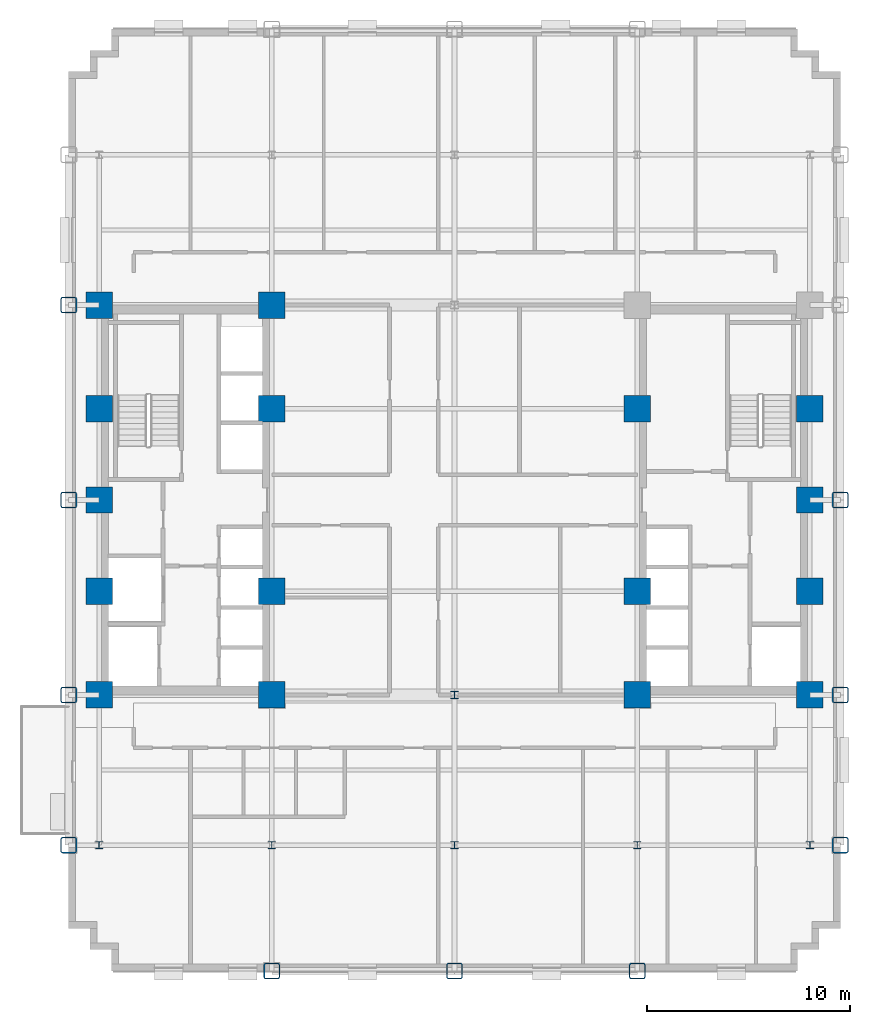
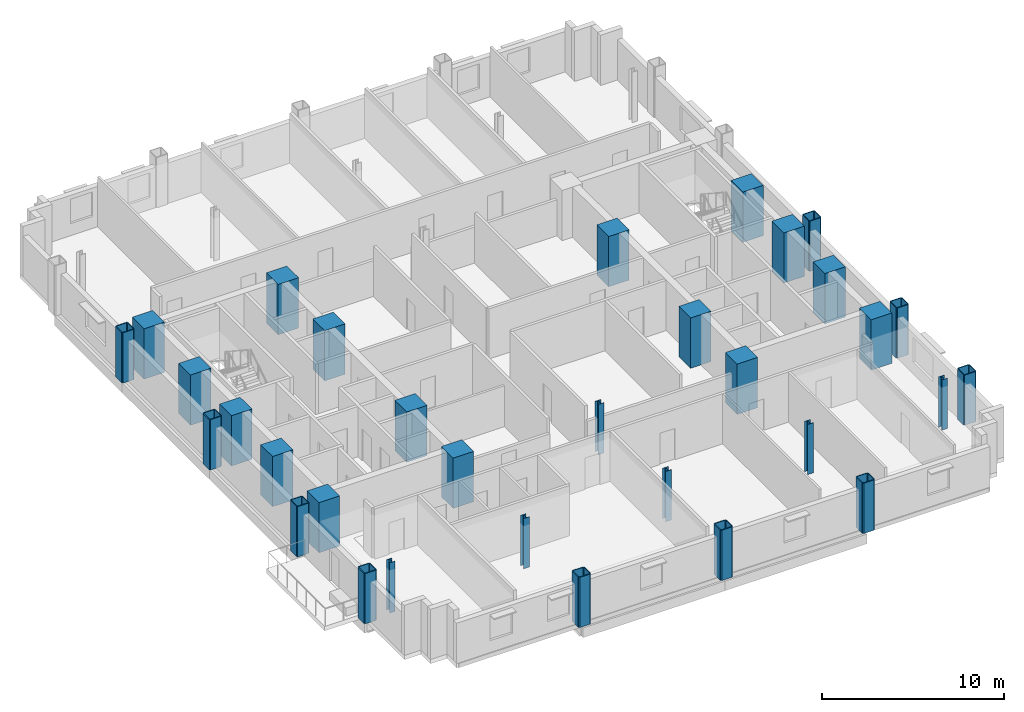
# One storey, part 1 of 12: 32 columns.
"""IFC4 building model written with IfcOpenShell, lengths in metres."""

from ifc_helpers import new_model, si_unit, direction, frame, origin, origin_2d, place, context, subcontext, project, spatial, rectangle, hollow_rectangle, i_section, extrude, material, material_profile, profile_set, type_object, element, save


model = new_model("IFC4")

# Units and contexts
model_context = context("Model", 3, precision=1e-05, world=origin(), true_north=direction((0.0, 1.0)))
body_context = subcontext(model_context, "Body", "Model", "MODEL_VIEW")
ifc_project = project(units=[si_unit("LENGTHUNIT", "METRE"), si_unit("AREAUNIT", "SQUARE_METRE"), si_unit("VOLUMEUNIT", "CUBIC_METRE"), si_unit("PLANEANGLEUNIT", "RADIAN"), si_unit("MASSUNIT", "GRAM", prefix="KILO")], contexts=[model_context])

# Site, building, storey
site_placement = place(None, origin())
site = spatial("IfcSite", under=ifc_project, at=site_placement, CompositionType="ELEMENT")
building_placement = place(site_placement, origin())
building = spatial("IfcBuilding", under=site, at=building_placement, Name="Nuvemarco Arch Tower", CompositionType="ELEMENT")
storey_placement = place(building_placement, frame((0.0, 0.0, 49.5)))
storey = spatial("IfcBuildingStorey", under=building, at=storey_placement, Name="L12", CompositionType="ELEMENT", Elevation=49.5)

# Columns
ifc_material_1 = material(Name="Concrete C60/75", Category="concrete")
ifc_material_profile_1 = material_profile(ifc_material_1, rectangle(XDim=1.300048828125, YDim=1.300048828125, at=origin_2d()), Name="RC-COL-1300x1300")
ifc_profile_set_1 = profile_set([ifc_material_profile_1], Name="Concrete C60/75")
column_type_1 = type_object("IfcColumnType", Name="COL-CORE-1300", PredefinedType="COLUMN", material=ifc_profile_set_1)
for number, where, z_axis, x_axis, name in (
    (1, (-17.5, -9.60009765625, 0.0), (0.0, 0.0, 1.0), (1.0, 0.0, 0.0), "L12 column CC_-17.5_-9.6"),
    (2, (-17.5, -4.5, 0.0), (0.0, 0.0, 1.0), (1.0, 0.0, 0.0), "L12 column CC_-17.5_-4.5"),
    (3, (-17.5, 4.5, 0.0), (0.0, 0.0, 1.0), (1.0, 0.0, 0.0), "L12 column CC_-17.5_+4.5"),
    (4, (-17.5, 9.60009765625, 0.0), (0.0, 0.0, 1.0), (1.0, 0.0, 0.0), "L12 column CC_-17.5_+9.6"),
    (5, (-9.0, -9.60009765625, 0.0), (0.0, 0.0, 1.0), (1.0, 0.0, 0.0), "L12 column CC_-9.0_-9.6"),
    (6, (-9.0, -4.5, 0.0), (0.0, 0.0, 1.0), (1.0, 0.0, 0.0), "L12 column CC_-9.0_-4.5"),
    (7, (-9.0, 4.5, 0.0), (0.0, 0.0, 1.0), (1.0, 0.0, 0.0), "L12 column CC_-9.0_+4.5"),
    (8, (-9.0, 9.60009765625, 0.0), (0.0, 0.0, 1.0), (1.0, 0.0, 0.0), "L12 column CC_-9.0_+9.6"),
    (9, (9.0, -9.60009765625, 0.0), (0.0, 0.0, 1.0), (1.0, 0.0, 0.0), "L12 column CC_+9.0_-9.6"),
    (10, (9.0, -4.5, 0.0), (0.0, 0.0, 1.0), (1.0, 0.0, 0.0), "L12 column CC_+9.0_-4.5"),
    (11, (9.0, 4.5, 0.0), (0.0, 0.0, 1.0), (1.0, 0.0, 0.0), "L12 column CC_+9.0_+4.5"),
    (12, (17.5, -9.60009765625, 0.0), (0.0, 0.0, 1.0), (1.0, 0.0, 0.0), "L12 column CC_+17.5_-9.6"),
    (13, (17.5, -4.5, 0.0), (0.0, 0.0, 1.0), (1.0, 0.0, 0.0), "L12 column CC_+17.5_-4.5"),
    (14, (17.5, 4.5, 0.0), (0.0, 0.0, 1.0), (1.0, 0.0, 0.0), "L12 column CC_+17.5_+4.5"),
    (15, (-17.5, 0.0, 0.0), (0.0, 0.0, 1.0), (1.0, 0.0, 0.0), "L12 column CC_-17.5_+0.0"),
    (16, (17.5, 0.0, 0.0), (0.0, 0.0, 1.0), (1.0, 0.0, 0.0), "L12 column CC_+17.5_+0.0"),
):
    element("IfcColumn", number, at=place(storey_placement, frame(where, z_axis=z_axis, x_axis=x_axis)), inside=storey, type_object=column_type_1, Name=name, PredefinedType="COLUMN", context=body_context, shape_type="SweptSolid", body=[
        extrude(rectangle(XDim=1.300048828125, YDim=1.300048828125, at=origin_2d()), origin(), (0.0, 0.0, 1.0), 3.3701171875),
    ])
ifc_material_2 = material(Name="Steel S460", Category="steel")
ifc_material_profile_2 = material_profile(ifc_material_2, hollow_rectangle(XDim=0.800048828125, YDim=0.800048828125, WallThickness=0.054931640625, InnerFilletRadius=0.054931640625, OuterFilletRadius=0.110107421875, at=origin_2d()), Name="SHS800x800x55")
ifc_profile_set_2 = profile_set([ifc_material_profile_2], Name="Steel S460")
column_type_2 = type_object("IfcColumnType", Name="COL-EXO-800", PredefinedType="COLUMN", material=ifc_profile_set_2)
for number, where, z_axis, x_axis, name in (
    (17, (-19.0, -17.0, 0.0), (0.0, 0.0, 1.0), (1.0, 0.0, 0.0), "L12 column CX_-19.0_-17.0"),
    (18, (-19.0, -9.60009765625, 0.0), (0.0, 0.0, 1.0), (1.0, 0.0, 0.0), "L12 column CX_-19.0_-9.6"),
    (19, (-19.0, 0.0, 0.0), (0.0, 0.0, 1.0), (1.0, 0.0, 0.0), "L12 column CX_-19.0_+0.0"),
    (20, (-19.0, 9.60009765625, 0.0), (0.0, 0.0, 1.0), (1.0, 0.0, 0.0), "L12 column CX_-19.0_+9.6"),
    (21, (19.0, -17.0, 0.0), (0.0, 0.0, 1.0), (1.0, 0.0, 0.0), "L12 column CX_+19.0_-17.0"),
    (22, (19.0, -9.60009765625, 0.0), (0.0, 0.0, 1.0), (1.0, 0.0, 0.0), "L12 column CX_+19.0_-9.6"),
    (23, (19.0, 0.0, 0.0), (0.0, 0.0, 1.0), (1.0, 0.0, 0.0), "L12 column CX_+19.0_+0.0"),
    (24, (-9.0, -23.199951171875, 0.0), (0.0, 0.0, 1.0), (1.0, 0.0, 0.0), "L12 column CY_-9.0_-23.2"),
    (25, (0.0, -23.199951171875, 0.0), (0.0, 0.0, 1.0), (1.0, 0.0, 0.0), "L12 column CY_+0.0_-23.2"),
    (26, (9.0, -23.199951171875, 0.0), (0.0, 0.0, 1.0), (1.0, 0.0, 0.0), "L12 column CY_+9.0_-23.2"),
):
    element("IfcColumn", number, at=place(storey_placement, frame(where, z_axis=z_axis, x_axis=x_axis)), inside=storey, type_object=column_type_2, Name=name, PredefinedType="COLUMN", context=body_context, shape_type="SweptSolid", body=[
        extrude(hollow_rectangle(XDim=0.800048828125, YDim=0.800048828125, WallThickness=0.054931640625, InnerFilletRadius=0.054931640625, OuterFilletRadius=0.110107421875, at=origin_2d()), origin(), (0.0, 0.0, 1.0), 3.3701171875),
    ])
ifc_material_3 = material(Name="Steel S355", Category="steel")
ifc_material_profile_3 = material_profile(ifc_material_3, i_section(OverallWidth=0.360107421875, OverallDepth=0.360107421875, WebThickness=0.0205078125, FlangeThickness=0.0205078125, FilletRadius=0.01806640625, at=origin_2d()), Name="HP360x174")
ifc_profile_set_3 = profile_set([ifc_material_profile_3], Name="Steel S355")
column_type_3 = type_object("IfcColumnType", Name="COL-STL-HP360", PredefinedType="COLUMN", material=ifc_profile_set_3)
for number, where, z_axis, x_axis, name in (
    (27, (0.0, -17.0, 0.0), (0.0, 0.0, 1.0), (1.0, 0.0, 0.0), "L12 column CI_+0.0_-17.0"),
    (28, (0.0, -9.60009765625, 0.0), (0.0, 0.0, 1.0), (1.0, 0.0, 0.0), "L12 column CI_+0.0_-9.6"),
    (29, (-17.5, -17.0, 0.0), (0.0, 0.0, 1.0), (1.0, 0.0, 0.0), "L12 column CI_-17.5_-17.0"),
    (30, (-9.0, -17.0, 0.0), (0.0, 0.0, 1.0), (1.0, 0.0, 0.0), "L12 column CI_-9.0_-17.0"),
    (31, (9.0, -17.0, 0.0), (0.0, 0.0, 1.0), (1.0, 0.0, 0.0), "L12 column CI_+9.0_-17.0"),
    (32, (17.5, -17.0, 0.0), (0.0, 0.0, 1.0), (1.0, 0.0, 0.0), "L12 column CI_+17.5_-17.0"),
):
    element("IfcColumn", number, at=place(storey_placement, frame(where, z_axis=z_axis, x_axis=x_axis)), inside=storey, type_object=column_type_3, Name=name, PredefinedType="COLUMN", context=body_context, shape_type="SweptSolid", body=[
        extrude(i_section(OverallWidth=0.360107421875, OverallDepth=0.360107421875, WebThickness=0.0205078125, FlangeThickness=0.0205078125, FilletRadius=0.01806640625, at=origin_2d()), origin(), (0.0, 0.0, 1.0), 3.3701171875),
    ])

save(model, "model.ifc")
